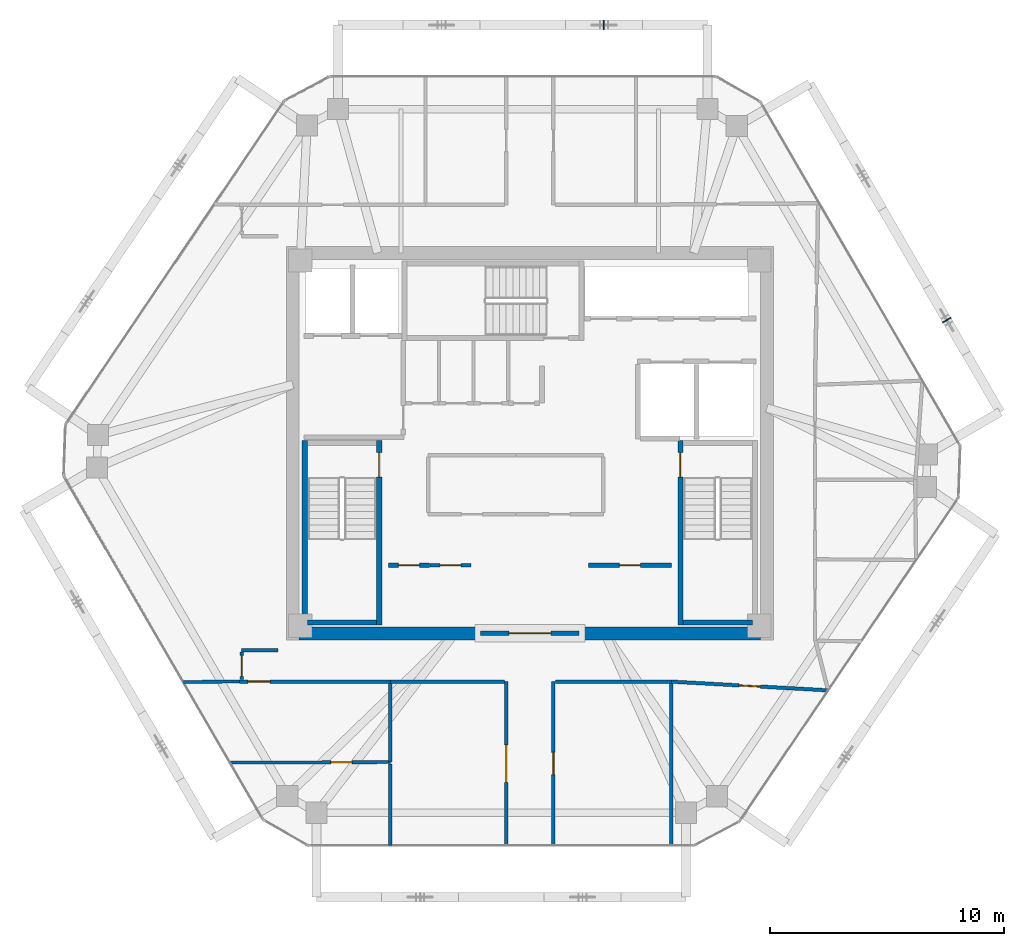
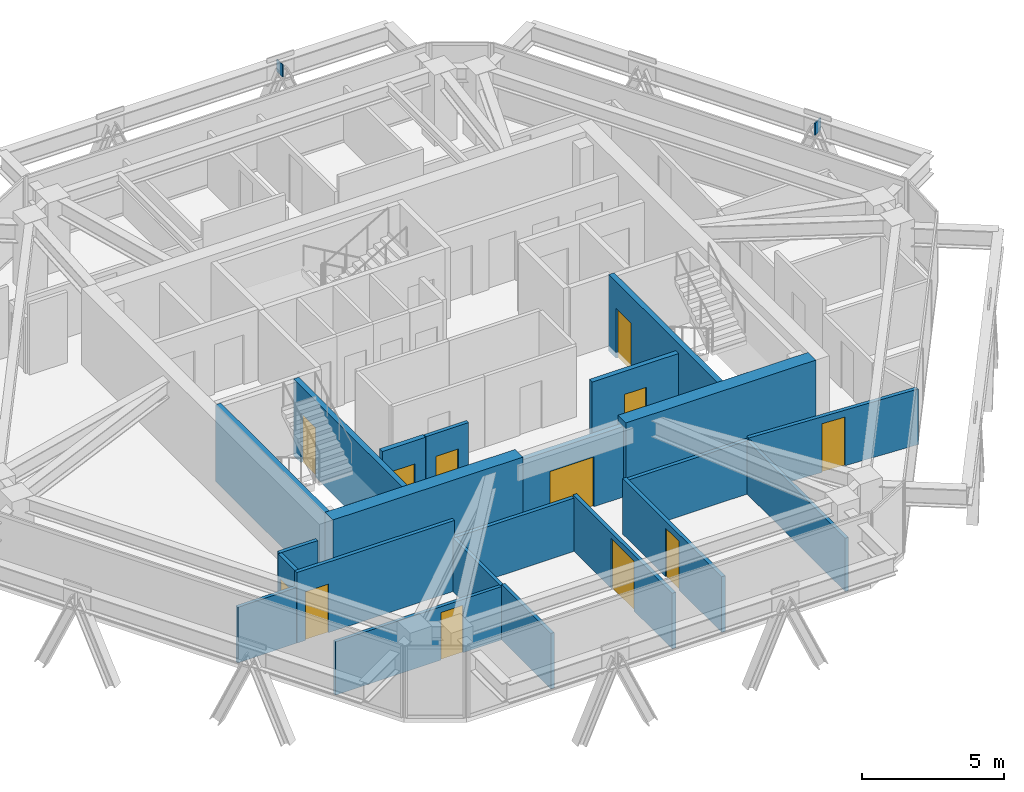
# One storey, part 9 of 13: 24 walls, 12 doors, 2 plates, 12 openings.
"""IFC4 building model written with IfcOpenShell, lengths in metres."""

from ifc_helpers import new_model, si_unit, direction, frame, frame_2d, origin, origin_2d, place, context, subcontext, project, spatial, rectangle, extrude, source, transform, mapped, material, layer, layer_set, type_object, type_shapes, element, fill, save


model = new_model("IFC4")

# Units and contexts
model_context = context("Model", 3, precision=1e-05, world=origin(), true_north=direction((0.0, 1.0)))
body_context = subcontext(model_context, "Body", "Model", "MODEL_VIEW")
ifc_project = project(units=[si_unit("LENGTHUNIT", "METRE"), si_unit("AREAUNIT", "SQUARE_METRE"), si_unit("VOLUMEUNIT", "CUBIC_METRE"), si_unit("PLANEANGLEUNIT", "RADIAN"), si_unit("MASSUNIT", "GRAM", prefix="KILO")], contexts=[model_context])

# Site, building, storey
site_placement = place(None, origin())
site = spatial("IfcSite", under=ifc_project, at=site_placement, CompositionType="ELEMENT")
building_placement = place(site_placement, origin())
building = spatial("IfcBuilding", under=site, at=building_placement, Name="Durnholm Broadcast Tower", CompositionType="ELEMENT")
storey_placement = place(building_placement, frame((0.0, 0.0, 234.800048828125)))
storey = spatial("IfcBuildingStorey", under=building, at=storey_placement, Name="L65", CompositionType="ELEMENT", Elevation=234.800048828125)

# Plates
ifc_material_1 = material(Name="Steel ASTM A572 Grade 50", Category="steel")
ifc_layer_1 = layer(ifc_material_1, 0.044921875)
ifc_layer_set_1 = layer_set([ifc_layer_1], Name="Steel ASTM A572 Grade 50")
plate_type = type_object("IfcPlateType", Name="PLT-KN-STIF", PredefinedType="SHEET", material=ifc_layer_set_1)
shared_shape_1 = source(origin(), body_context, "Body", "SweptSolid", [
    extrude(rectangle(XDim=0.044921875, YDim=0.419921875, at=origin_2d()), origin(), (0.0, 0.0, 1.0), 0.52001953125),
])
type_shapes(plate_type, [shared_shape_1])
for number, where, z_axis, x_axis, name in (
    (1, (17.806640625, 5.2548828125, 2.048583984375), (0.0, 0.0, 1.0), (-0.501963660617, 0.864888711581, 0.0), "L65 welded diagrid node stiffener plate F3"),
    (2, (3.164794921875, 17.862060546875, 2.048583984375), (0.0, 0.0, 1.0), (-1.0, 0.0, 0.0), "L65 welded diagrid node stiffener plate F4"),
):
    element("IfcPlate", number, at=place(storey_placement, frame(where, z_axis=z_axis, x_axis=x_axis)), inside=storey, type_object=plate_type, Name=name, PredefinedType="SHEET", context=body_context, shape_type="MappedRepresentation", body=[
        mapped(shared_shape_1, transform((0.0, 0.0, 0.0), x_axis=(1.0, 0.0, 0.0), y_axis=(0.0, 1.0, 0.0), z_axis=(0.0, 0.0, 1.0), scale=1.0)),
    ])

# Walls
ifc_material_2 = material(Name="Concrete C70/85", Category="concrete")
ifc_layer_2 = layer(ifc_material_2, 0.550048828125)
ifc_layer_set_2 = layer_set([ifc_layer_2], Name="Concrete C70/85")
wall_type_1 = type_object("IfcWallType", Name="WALL-CW-550", PredefinedType="SHEAR", material=ifc_layer_set_2)
for number, where, z_axis, x_axis, name in (
    (3, (-9.85009765625, -8.125, 0.0), (0.0, 0.0, 1.0), (1.0, 0.0, 0.0), "L65 central core shear wall CW-S1"),
    (4, (2.10009765625, -8.125, 0.0), (0.0, 0.0, 1.0), (1.0, 0.0, 0.0), "L65 central core shear wall CW-S2"),
):
    element("IfcWall", number, at=place(storey_placement, frame(where, z_axis=z_axis, x_axis=x_axis)), inside=storey, type_object=wall_type_1, Name=name, PredefinedType="SHEAR", context=body_context, shape_type="SweptSolid", body=[
        extrude(rectangle(XDim=7.75, YDim=0.550048828125, at=frame_2d((3.875, 0.0))), origin(), (0.0, 0.0, 1.0), 3.300048828125),
    ])

# Wall, opening, door
ifc_material_3 = material(Name="Fire-Rated Gypsum Shaftwall", Category="concrete")
ifc_layer_3 = layer(ifc_material_3, 0.199951171875)
ifc_layer_set_3 = layer_set([ifc_layer_3], Name="Fire-Rated Gypsum Shaftwall")
wall_type_2 = type_object("IfcWallType", Name="WALL-LOB-200", PredefinedType="SOLIDWALL", material=ifc_layer_set_3)
wall_1_placement = place(storey_placement, frame((-2.10009765625, -8.125, 0.0), z_axis=(0.0, 0.0, 1.0), x_axis=(1.0, 0.0, 0.0)))
wall_1 = element("IfcWall", 5, at=wall_1_placement, inside=storey, type_object=wall_type_2, Name="L65 south core lobby fire screen", PredefinedType="SOLIDWALL", context=body_context, shape_type="SweptSolid", body=[
    extrude(rectangle(XDim=4.2001953125, YDim=0.199951171875, at=frame_2d((2.10009765625, 0.0))), origin(), (0.0, 0.0, 1.0), 3.044921875),
])
opening_1_placement = place(wall_1_placement, frame((1.199951171875, 0.0, 0.0)))
opening_1 = element("IfcOpeningElement", 6, at=opening_1_placement, cuts=wall_1, Name="Opening DP-60", PredefinedType="OPENING", context=body_context, shape_type="SweptSolid", body=[
    extrude(rectangle(XDim=1.800048828125, YDim=2.14990234375, at=frame_2d((0.89990234375, 1.074951171875))), frame((0.0, 0.10986328125, 0.0), z_axis=(0.0, -1.0, 0.0), x_axis=(1.0, 0.0, 0.0)), (0.0, 0.0, 1.0), 0.219970703125),
])
ifc_material_4 = material(Name="Fire-Rated Double Corridor Door", Category="steel")
ifc_layer_4 = layer(ifc_material_4, 0.050048828125)
ifc_layer_set_4 = layer_set([ifc_layer_4], Name="Fire-Rated Double Corridor Door")
door_type_1 = type_object("IfcDoorType", Name="DOOR-PAIR-FD60", OperationType="DOUBLE_DOOR_SINGLE_SWING", PredefinedType="DOOR", material=ifc_layer_set_4)
shared_shape_2 = source(origin(), body_context, "Body", "SweptSolid", [
    extrude(rectangle(XDim=1.800048828125, YDim=2.14990234375, at=frame_2d((0.89990234375, 1.074951171875))), frame((0.0, 0.02490234375, 0.0), z_axis=(0.0, -1.0, 0.0), x_axis=(1.0, 0.0, 0.0)), (0.0, 0.0, 1.0), 0.050048828125),
])
type_shapes(door_type_1, [shared_shape_2])
door_1_placement = place(opening_1_placement, origin())
door_1 = element("IfcDoor", 7, at=door_1_placement, inside=storey, type_object=door_type_1, Name="L65 south core lobby double fire door", OperationType="DOUBLE_DOOR_SINGLE_SWING", OverallHeight=2.14990234375, OverallWidth=1.800048828125, PredefinedType="DOOR", context=body_context, shape_type="MappedRepresentation", body=[
    mapped(shared_shape_2, transform((0.0, 0.0, 0.0), x_axis=(1.0, 0.0, 0.0), y_axis=(0.0, 1.0, 0.0), z_axis=(0.0, 0.0, 1.0), scale=1.0)),
])
fill(opening_1, door_1)

wall_2_placement = place(storey_placement, frame((-6.0400390625, -5.2099609375, 0.0), z_axis=(0.0, 0.0, 1.0), x_axis=(1.0, 0.0, 0.0)))
wall_2 = element("IfcWall", 8, at=wall_2_placement, inside=storey, type_object=wall_type_2, Name="L65 Media Fiber Patch Room corridor partition", PredefinedType="SOLIDWALL", context=body_context, shape_type="SweptSolid", body=[
    extrude(rectangle(XDim=1.760009765625, YDim=0.199951171875, at=frame_2d((0.8798828125, 0.0))), origin(), (0.0, 0.0, 1.0), 3.044921875),
])
opening_2_placement = place(wall_2_placement, frame((0.429931640625, 0.0, 0.0)))
opening_2 = element("IfcOpeningElement", 9, at=opening_2_placement, cuts=wall_2, Name="Opening DC-60R", PredefinedType="OPENING", context=body_context, shape_type="SweptSolid", body=[
    extrude(rectangle(XDim=0.89990234375, YDim=2.050048828125, at=frame_2d((0.449951171875, 1.02490234375))), frame((0.0, 0.10986328125, 0.0), z_axis=(0.0, -1.0, 0.0), x_axis=(1.0, 0.0, 0.0)), (0.0, 0.0, 1.0), 0.219970703125),
])
ifc_material_5 = material(Name="Fire-Rated Core Service Door", Category="steel")
ifc_layer_5 = layer(ifc_material_5, 0.050048828125)
ifc_layer_set_5 = layer_set([ifc_layer_5], Name="Fire-Rated Core Service Door")
door_type_2 = type_object("IfcDoorType", Name="DOOR-CORE-FD60-R", OperationType="NOTDEFINED", PredefinedType="DOOR", material=ifc_layer_set_5)
shared_shape_3 = source(origin(), body_context, "Body", "SweptSolid", [
    extrude(rectangle(XDim=0.89990234375, YDim=2.050048828125, at=frame_2d((0.449951171875, 1.02490234375))), frame((0.0, 0.02490234375, 0.0), z_axis=(0.0, -1.0, 0.0), x_axis=(1.0, 0.0, 0.0)), (0.0, 0.0, 1.0), 0.050048828125),
])
type_shapes(door_type_2, [shared_shape_3])
door_2_placement = place(opening_2_placement, origin())
door_2 = element("IfcDoor", 10, at=door_2_placement, inside=storey, type_object=door_type_2, Name="L65 Media Fiber Patch Room entrance door", OperationType="SINGLE_SWING_RIGHT", OverallHeight=2.050048828125, OverallWidth=0.89990234375, PredefinedType="DOOR", context=body_context, shape_type="MappedRepresentation", body=[
    mapped(shared_shape_3, transform((0.0, 0.0, 0.0), x_axis=(1.0, 0.0, 0.0), y_axis=(0.0, 1.0, 0.0), z_axis=(0.0, 0.0, 1.0), scale=1.0)),
])
fill(opening_2, door_2)

wall_3_placement = place(storey_placement, frame((2.510009765625, -5.2099609375, 0.0), z_axis=(0.0, 0.0, 1.0), x_axis=(1.0, 0.0, 0.0)))
wall_3 = element("IfcWall", 11, at=wall_3_placement, inside=storey, type_object=wall_type_2, Name="L65 Telemetry Control Closet corridor partition", PredefinedType="SOLIDWALL", context=body_context, shape_type="SweptSolid", body=[
    extrude(rectangle(XDim=3.530029296875, YDim=0.199951171875, at=frame_2d((1.76513671875, 0.0))), origin(), (0.0, 0.0, 1.0), 3.044921875),
])
opening_3_placement = place(wall_3_placement, frame((1.31494140625, 0.0, 0.0)))
opening_3 = element("IfcOpeningElement", 12, at=opening_3_placement, cuts=wall_3, Name="Opening DC-60R", PredefinedType="OPENING", context=body_context, shape_type="SweptSolid", body=[
    extrude(rectangle(XDim=0.89990234375, YDim=2.050048828125, at=frame_2d((0.449951171875, 1.02490234375))), frame((0.0, 0.10986328125, 0.0), z_axis=(0.0, -1.0, 0.0), x_axis=(1.0, 0.0, 0.0)), (0.0, 0.0, 1.0), 0.219970703125),
])
door_3_placement = place(opening_3_placement, origin())
door_3 = element("IfcDoor", 13, at=door_3_placement, inside=storey, type_object=door_type_2, Name="L65 Telemetry Control Closet entrance door", OperationType="SINGLE_SWING_RIGHT", OverallHeight=2.050048828125, OverallWidth=0.89990234375, PredefinedType="DOOR", context=body_context, shape_type="MappedRepresentation", body=[
    mapped(shared_shape_3, transform((0.0, 0.0, 0.0), x_axis=(1.0, 0.0, 0.0), y_axis=(0.0, 1.0, 0.0), z_axis=(0.0, 0.0, 1.0), scale=1.0)),
])
fill(opening_3, door_3)

ifc_material_6 = material(Name="Gypsum Metal Stud Partition", Category="concrete")
ifc_layer_6 = layer(ifc_material_6, 0.135009765625)
ifc_layer_set_6 = layer_set([ifc_layer_6], Name="Gypsum Metal Stud Partition")
wall_type_3 = type_object("IfcWallType", Name="WALL-PART-135", PredefinedType="PARTITIONING", material=ifc_layer_set_6)
wall_4_placement = place(storey_placement, frame((-12.803466796875, -13.64306640625, 0.0), z_axis=(0.0, 0.0, 1.0), x_axis=(0.999995721242, 0.002925320151, 0.0)))
wall_4 = element("IfcWall", 14, at=wall_4_placement, inside=storey, type_object=wall_type_3, Name="L65 room dividing partition 17.18", PredefinedType="PARTITIONING", context=body_context, shape_type="SweptSolid", body=[
    extrude(rectangle(XDim=6.843505859375, YDim=0.135009765625, at=frame_2d((3.421875, 0.0))), origin(), (0.0, 0.0, 1.0), 2.30126953125),
])
opening_4_placement = place(wall_4_placement, frame((4.31005859375, 0.0, 0.0)))
opening_4 = element("IfcOpeningElement", 15, at=opening_4_placement, cuts=wall_4, Name="Opening DW-90L", PredefinedType="OPENING", context=body_context, shape_type="SweptSolid", body=[
    extrude(rectangle(XDim=0.89990234375, YDim=2.050048828125, at=frame_2d((0.449951171875, 1.02490234375))), frame((0.0, 0.07763671875, 0.0), z_axis=(0.0, -1.0, 0.0), x_axis=(1.0, 0.0, 0.0)), (0.0, 0.0, 1.0), 0.155029296875),
])
ifc_material_7 = material(Name="Laminate Restroom Door", Category="steel")
ifc_layer_7 = layer(ifc_material_7, 0.050048828125)
ifc_layer_set_7 = layer_set([ifc_layer_7], Name="Laminate Restroom Door")
door_type_3 = type_object("IfcDoorType", Name="DOOR-WC-900L", OperationType="NOTDEFINED", PredefinedType="DOOR", material=ifc_layer_set_7)
shared_shape_4 = source(origin(), body_context, "Body", "SweptSolid", [
    extrude(rectangle(XDim=0.89990234375, YDim=2.050048828125, at=frame_2d((0.449951171875, 1.02490234375))), frame((0.0, 0.02490234375, 0.0), z_axis=(0.0, -1.0, 0.0), x_axis=(1.0, 0.0, 0.0)), (0.0, 0.0, 1.0), 0.050048828125),
])
type_shapes(door_type_3, [shared_shape_4])
door_4_placement = place(opening_4_placement, origin())
door_4 = element("IfcDoor", 16, at=door_4_placement, inside=storey, type_object=door_type_3, Name="L65 Pantry Kitchen connecting door", OperationType="SINGLE_SWING_LEFT", OverallHeight=2.050048828125, OverallWidth=0.89990234375, PredefinedType="DOOR", context=body_context, shape_type="MappedRepresentation", body=[
    mapped(shared_shape_4, transform((0.0, 0.0, 0.0), x_axis=(1.0, 0.0, 0.0), y_axis=(0.0, 1.0, 0.0), z_axis=(0.0, 0.0, 1.0), scale=1.0)),
])
fill(opening_4, door_4)

# Walls
wall_5_placement = place(storey_placement, frame((-5.9599609375, -13.694580078125, 0.0), z_axis=(0.0, 0.0, 1.0), x_axis=(0.0, -1.0, 0.0)))
element("IfcWall", 17, at=wall_5_placement, inside=storey, type_object=wall_type_3, Name="L65 room dividing partition 17.19", PredefinedType="PARTITIONING", context=body_context, shape_type="SweptSolid", body=[
    extrude(rectangle(XDim=3.491455078125, YDim=0.135009765625, at=frame_2d((1.74560546875, 0.0))), origin(), (0.0, 0.0, 1.0), 2.398681640625),
])
wall_6_placement = place(storey_placement, frame((-5.9599609375, -10.259033203125, 0.0), z_axis=(0.0, 0.0, 1.0), x_axis=(0.0, -1.0, 0.0)))
element("IfcWall", 18, at=wall_6_placement, inside=storey, type_object=wall_type_3, Name="L65 room dividing partition 18.19", PredefinedType="PARTITIONING", context=body_context, shape_type="SweptSolid", body=[
    extrude(rectangle(XDim=3.364013671875, YDim=0.135009765625, at=frame_2d((1.68212890625, 0.0))), origin(), (0.0, 0.0, 1.0), 2.30126953125),
])
wall_7_placement = place(storey_placement, frame((-14.801513671875, -10.199951171875, 0.0), z_axis=(0.0, 0.0, 1.0), x_axis=(0.999968020968, 0.007997314604, 0.0)))
element("IfcWall", 19, at=wall_7_placement, inside=storey, type_object=wall_type_3, Name="L65 room dividing partition 18.22", PredefinedType="PARTITIONING", context=body_context, shape_type="SweptSolid", body=[
    extrude(rectangle(XDim=2.41162109375, YDim=0.135009765625, at=frame_2d((1.205810546875, 0.0))), origin(), (0.0, 0.0, 1.0), 2.398681640625),
])
wall_8_placement = place(storey_placement, frame((6.0400390625, -10.263671875, 0.0), z_axis=(0.0, 0.0, 1.0), x_axis=(0.0, -1.0, 0.0)))
element("IfcWall", 20, at=wall_8_placement, inside=storey, type_object=wall_type_3, Name="L65 room dividing partition 20.21", PredefinedType="PARTITIONING", context=body_context, shape_type="SweptSolid", body=[
    extrude(rectangle(XDim=6.92236328125, YDim=0.135009765625, at=frame_2d((3.461181640625, 0.0))), origin(), (0.0, 0.0, 1.0), 2.30126953125),
])

# Wall, opening, door
ifc_material_8 = material(Name="Acoustic Gypsum Stud Partition", Category="concrete")
ifc_layer_8 = layer(ifc_material_8, 0.14990234375)
ifc_layer_set_8 = layer_set([ifc_layer_8], Name="Acoustic Gypsum Stud Partition")
wall_type_4 = type_object("IfcWallType", Name="WALL-PART-150", PredefinedType="PARTITIONING", material=ifc_layer_set_8)
wall_9_placement = place(storey_placement, frame((-4.260009765625, -5.2099609375, 0.0), z_axis=(0.0, 0.0, 1.0), x_axis=(1.0, 0.0, 0.0)))
wall_9 = element("IfcWall", 21, at=wall_9_placement, inside=storey, type_object=wall_type_4, Name="L65 Copy and Print Room corridor partition", PredefinedType="PARTITIONING", context=body_context, shape_type="SweptSolid", body=[
    extrude(rectangle(XDim=1.75, YDim=0.14990234375, at=frame_2d((0.875, 0.0))), origin(), (0.0, 0.0, 1.0), 3.044921875),
])
opening_5_placement = place(wall_9_placement, frame((0.425048828125, 0.0, 0.0)))
opening_5 = element("IfcOpeningElement", 22, at=opening_5_placement, cuts=wall_9, Name="Opening DC-60L", PredefinedType="OPENING", context=body_context, shape_type="SweptSolid", body=[
    extrude(rectangle(XDim=0.89990234375, YDim=2.050048828125, at=frame_2d((0.449951171875, 1.02490234375))), frame((0.0, 0.0849609375, 0.0), z_axis=(0.0, -1.0, 0.0), x_axis=(1.0, 0.0, 0.0)), (0.0, 0.0, 1.0), 0.169921875),
])
ifc_layer_9 = layer(ifc_material_5, 0.050048828125)
ifc_layer_set_9 = layer_set([ifc_layer_9], Name="Fire-Rated Core Service Door")
door_type_4 = type_object("IfcDoorType", Name="DOOR-CORE-FD60-L", OperationType="NOTDEFINED", PredefinedType="DOOR", material=ifc_layer_set_9)
shared_shape_5 = source(origin(), body_context, "Body", "SweptSolid", [
    extrude(rectangle(XDim=0.89990234375, YDim=2.050048828125, at=frame_2d((0.449951171875, 1.02490234375))), frame((0.0, 0.02490234375, 0.0), z_axis=(0.0, -1.0, 0.0), x_axis=(1.0, 0.0, 0.0)), (0.0, 0.0, 1.0), 0.050048828125),
])
type_shapes(door_type_4, [shared_shape_5])
door_5_placement = place(opening_5_placement, origin())
door_5 = element("IfcDoor", 23, at=door_5_placement, inside=storey, type_object=door_type_4, Name="L65 Copy and Print Room entrance door", OperationType="SINGLE_SWING_LEFT", OverallHeight=2.050048828125, OverallWidth=0.89990234375, PredefinedType="DOOR", context=body_context, shape_type="MappedRepresentation", body=[
    mapped(shared_shape_5, transform((0.0, 0.0, 0.0), x_axis=(1.0, 0.0, 0.0), y_axis=(0.0, 1.0, 0.0), z_axis=(0.0, 0.0, 1.0), scale=1.0)),
])
fill(opening_5, door_5)

wall_10_placement = place(storey_placement, frame((-12.389892578125, -10.179931640625, 0.0), z_axis=(0.0, 0.0, 1.0), x_axis=(1.0, 0.0, 0.0)))
wall_10 = element("IfcWall", 24, at=wall_10_placement, inside=storey, type_object=wall_type_4, Name="L65 Standards Office corridor partition", PredefinedType="PARTITIONING", context=body_context, shape_type="SweptSolid", body=[
    extrude(rectangle(XDim=6.429931640625, YDim=0.14990234375, at=frame_2d((3.21484375, 0.0))), origin(), (0.0, 0.0, 1.0), 3.044921875),
])
opening_6_placement = place(wall_10_placement, frame((0.35009765625, 0.0, 0.0)))
opening_6 = element("IfcOpeningElement", 25, at=opening_6_placement, cuts=wall_10, Name="Opening DR-95R", PredefinedType="OPENING", context=body_context, shape_type="SweptSolid", body=[
    extrude(rectangle(XDim=0.949951171875, YDim=2.10009765625, at=frame_2d((0.47509765625, 1.050048828125))), frame((0.0, 0.0849609375, 0.0), z_axis=(0.0, -1.0, 0.0), x_axis=(1.0, 0.0, 0.0)), (0.0, 0.0, 1.0), 0.169921875),
])
ifc_material_9 = material(Name="Acoustic Oak Veneer Timber Door", Category="wood")
ifc_layer_10 = layer(ifc_material_9, 0.050048828125)
ifc_layer_set_10 = layer_set([ifc_layer_10], Name="Acoustic Oak Veneer Timber Door")
door_type_5 = type_object("IfcDoorType", Name="DOOR-RM-950R", OperationType="NOTDEFINED", PredefinedType="DOOR", material=ifc_layer_set_10)
shared_shape_6 = source(origin(), body_context, "Body", "SweptSolid", [
    extrude(rectangle(XDim=0.949951171875, YDim=2.10009765625, at=frame_2d((0.47509765625, 1.050048828125))), frame((0.0, 0.02490234375, 0.0), z_axis=(0.0, -1.0, 0.0), x_axis=(1.0, 0.0, 0.0)), (0.0, 0.0, 1.0), 0.050048828125),
])
type_shapes(door_type_5, [shared_shape_6])
door_6_placement = place(opening_6_placement, origin())
door_6 = element("IfcDoor", 26, at=door_6_placement, inside=storey, type_object=door_type_5, Name="L65 Standards Office entrance door", OperationType="SINGLE_SWING_RIGHT", OverallHeight=2.10009765625, OverallWidth=0.949951171875, PredefinedType="DOOR", context=body_context, shape_type="MappedRepresentation", body=[
    mapped(shared_shape_6, transform((0.0, 0.0, 0.0), x_axis=(1.0, 0.0, 0.0), y_axis=(0.0, 1.0, 0.0), z_axis=(0.0, 0.0, 1.0), scale=1.0)),
])
fill(opening_6, door_6)

wall_11_placement = place(storey_placement, frame((-1.010009765625, -10.179931640625, 0.0), z_axis=(0.0, 0.0, 1.0), x_axis=(0.0, -1.0, 0.0)))
wall_11 = element("IfcWall", 27, at=wall_11_placement, inside=storey, type_object=wall_type_4, Name="L65 International Council Hall corridor partition", PredefinedType="PARTITIONING", context=body_context, shape_type="SweptSolid", body=[
    extrude(rectangle(XDim=7.006103515625, YDim=0.14990234375, at=frame_2d((3.5029296875, 0.0))), origin(), (0.0, 0.0, 1.0), 2.398681640625),
])
opening_7_placement = place(wall_11_placement, frame((2.702880859375, 0.0, 0.0)))
opening_7 = element("IfcOpeningElement", 28, at=opening_7_placement, cuts=wall_11, Name="Opening DST-160", PredefinedType="OPENING", context=body_context, shape_type="SweptSolid", body=[
    extrude(rectangle(XDim=1.60009765625, YDim=2.14990234375, at=frame_2d((0.800048828125, 1.074951171875))), frame((0.0, 0.0849609375, 0.0), z_axis=(0.0, -1.0, 0.0), x_axis=(1.0, 0.0, 0.0)), (0.0, 0.0, 1.0), 0.169921875),
])
ifc_material_10 = material(Name="Acoustic Broadcast Studio Sound-Lock Door", Category="steel")
ifc_layer_11 = layer(ifc_material_10, 0.050048828125)
ifc_layer_set_11 = layer_set([ifc_layer_11], Name="Acoustic Broadcast Studio Sound-Lock Door")
door_type_6 = type_object("IfcDoorType", Name="DOOR-STU-1600", OperationType="DOUBLE_DOOR_SINGLE_SWING", PredefinedType="DOOR", material=ifc_layer_set_11)
shared_shape_7 = source(origin(), body_context, "Body", "SweptSolid", [
    extrude(rectangle(XDim=1.60009765625, YDim=2.14990234375, at=frame_2d((0.800048828125, 1.074951171875))), frame((0.0, 0.02490234375, 0.0), z_axis=(0.0, -1.0, 0.0), x_axis=(1.0, 0.0, 0.0)), (0.0, 0.0, 1.0), 0.050048828125),
])
type_shapes(door_type_6, [shared_shape_7])
door_7_placement = place(opening_7_placement, origin())
door_7 = element("IfcDoor", 29, at=door_7_placement, inside=storey, type_object=door_type_6, Name="L65 International Council Hall entrance door", OperationType="DOUBLE_DOOR_SINGLE_SWING", OverallHeight=2.14990234375, OverallWidth=1.60009765625, PredefinedType="DOOR", context=body_context, shape_type="MappedRepresentation", body=[
    mapped(shared_shape_7, transform((0.0, 0.0, 0.0), x_axis=(1.0, 0.0, 0.0), y_axis=(0.0, 1.0, 0.0), z_axis=(0.0, 0.0, 1.0), scale=1.0)),
])
fill(opening_7, door_7)

# Wall
wall_12_placement = place(storey_placement, frame((-5.9599609375, -10.179931640625, 0.0), z_axis=(0.0, 0.0, 1.0), x_axis=(1.0, 0.0, 0.0)))
element("IfcWall", 30, at=wall_12_placement, inside=storey, type_object=wall_type_4, Name="L65 International Council Hall corridor partition", PredefinedType="PARTITIONING", context=body_context, shape_type="SweptSolid", body=[
    extrude(rectangle(XDim=4.870849609375, YDim=0.14990234375, at=frame_2d((2.435546875, 0.0))), origin(), (0.0, 0.0, 1.0), 2.30126953125),
])

# Wall, opening, door
wall_13_placement = place(storey_placement, frame((1.010009765625, -17.18603515625, 0.0), z_axis=(0.0, 0.0, 1.0), x_axis=(0.0, 1.0, 0.0)))
wall_13 = element("IfcWall", 31, at=wall_13_placement, inside=storey, type_object=wall_type_4, Name="L65 Global Bureaus Meeting Room corridor partition", PredefinedType="PARTITIONING", context=body_context, shape_type="SweptSolid", body=[
    extrude(rectangle(XDim=7.006103515625, YDim=0.14990234375, at=frame_2d((3.5029296875, 0.0))), origin(), (0.0, 0.0, 1.0), 2.398681640625),
])
opening_8_placement = place(wall_13_placement, frame((3.028076171875, 0.0, 0.0)))
opening_8 = element("IfcOpeningElement", 32, at=opening_8_placement, cuts=wall_13, Name="Opening DR-95R", PredefinedType="OPENING", context=body_context, shape_type="SweptSolid", body=[
    extrude(rectangle(XDim=0.949951171875, YDim=2.10009765625, at=frame_2d((0.47509765625, 1.050048828125))), frame((0.0, 0.0849609375, 0.0), z_axis=(0.0, -1.0, 0.0), x_axis=(1.0, 0.0, 0.0)), (0.0, 0.0, 1.0), 0.169921875),
])
door_8_placement = place(opening_8_placement, origin())
door_8 = element("IfcDoor", 33, at=door_8_placement, inside=storey, type_object=door_type_5, Name="L65 Global Bureaus Meeting Room entrance door", OperationType="SINGLE_SWING_RIGHT", OverallHeight=2.10009765625, OverallWidth=0.949951171875, PredefinedType="DOOR", context=body_context, shape_type="MappedRepresentation", body=[
    mapped(shared_shape_6, transform((0.0, 0.0, 0.0), x_axis=(1.0, 0.0, 0.0), y_axis=(0.0, 1.0, 0.0), z_axis=(0.0, 0.0, 1.0), scale=1.0)),
])
fill(opening_8, door_8)

# Wall
wall_14_placement = place(storey_placement, frame((1.089111328125, -10.179931640625, 0.0), z_axis=(0.0, 0.0, 1.0), x_axis=(1.0, 0.0, 0.0)))
element("IfcWall", 34, at=wall_14_placement, inside=storey, type_object=wall_type_4, Name="L65 Global Bureaus Meeting Room corridor partition", PredefinedType="PARTITIONING", context=body_context, shape_type="SweptSolid", body=[
    extrude(rectangle(XDim=4.950927734375, YDim=0.14990234375, at=frame_2d((2.4755859375, 0.0))), origin(), (0.0, 0.0, 1.0), 2.30126953125),
])

# Wall, opening, door
wall_15_placement = place(storey_placement, frame((6.0400390625, -10.1845703125, 0.0), z_axis=(0.0, 0.0, 1.0), x_axis=(0.998451046252, -0.055637291801, 0.0)))
wall_15 = element("IfcWall", 35, at=wall_15_placement, inside=storey, type_object=wall_type_4, Name="L65 Open Plan Broadcast Workspace 4 corridor partition", PredefinedType="PARTITIONING", context=body_context, shape_type="SweptSolid", body=[
    extrude(rectangle(XDim=6.70947265625, YDim=0.14990234375, at=frame_2d((3.354736328125, 0.0))), origin(), (0.0, 0.0, 1.0), 2.398681640625),
])
opening_9_placement = place(wall_15_placement, frame((2.89453125, 0.0, 0.0)))
opening_9 = element("IfcOpeningElement", 36, at=opening_9_placement, cuts=wall_15, Name="Opening DR-92L", PredefinedType="OPENING", context=body_context, shape_type="SweptSolid", body=[
    extrude(rectangle(XDim=0.919921875, YDim=2.10009765625, at=frame_2d((0.4599609375, 1.050048828125))), frame((0.0, 0.0849609375, 0.0), z_axis=(0.0, -1.0, 0.0), x_axis=(1.0, 0.0, 0.0)), (0.0, 0.0, 1.0), 0.169921875),
])
ifc_material_11 = material(Name="Oak Veneer Office Door", Category="wood")
ifc_layer_12 = layer(ifc_material_11, 0.050048828125)
ifc_layer_set_12 = layer_set([ifc_layer_12], Name="Oak Veneer Office Door")
door_type_7 = type_object("IfcDoorType", Name="DOOR-RM-920L", OperationType="NOTDEFINED", PredefinedType="DOOR", material=ifc_layer_set_12)
shared_shape_8 = source(origin(), body_context, "Body", "SweptSolid", [
    extrude(rectangle(XDim=0.919921875, YDim=2.10009765625, at=frame_2d((0.4599609375, 1.050048828125))), frame((0.0, 0.02490234375, 0.0), z_axis=(0.0, -1.0, 0.0), x_axis=(1.0, 0.0, 0.0)), (0.0, 0.0, 1.0), 0.050048828125),
])
type_shapes(door_type_7, [shared_shape_8])
door_9_placement = place(opening_9_placement, origin())
door_9 = element("IfcDoor", 37, at=door_9_placement, inside=storey, type_object=door_type_7, Name="L65 Open Plan Broadcast Workspace 4 entrance door", OperationType="SINGLE_SWING_LEFT", OverallHeight=2.10009765625, OverallWidth=0.919921875, PredefinedType="DOOR", context=body_context, shape_type="MappedRepresentation", body=[
    mapped(shared_shape_8, transform((0.0, 0.0, 0.0), x_axis=(1.0, 0.0, 0.0), y_axis=(0.0, 1.0, 0.0), z_axis=(0.0, 0.0, 1.0), scale=1.0)),
])
fill(opening_9, door_9)

# Wall
wall_16_placement = place(storey_placement, frame((-10.760009765625, -8.840087890625, 0.0), z_axis=(0.0, 0.0, 1.0), x_axis=(-1.0, 0.0, 0.0)))
element("IfcWall", 38, at=wall_16_placement, inside=storey, type_object=wall_type_4, Name="L65 Council Dining Room corridor partition", PredefinedType="PARTITIONING", context=body_context, shape_type="SweptSolid", body=[
    extrude(rectangle(XDim=1.550048828125, YDim=0.14990234375, at=frame_2d((0.77490234375, 0.0))), origin(), (0.0, 0.0, 1.0), 3.044921875),
])

# Wall, opening, door
wall_17_placement = place(storey_placement, frame((-12.31005859375, -8.9189453125, 0.0), z_axis=(0.0, 0.0, 1.0), x_axis=(0.0, -1.0, 0.0)))
wall_17 = element("IfcWall", 39, at=wall_17_placement, inside=storey, type_object=wall_type_4, Name="L65 Council Dining Room corridor partition", PredefinedType="PARTITIONING", context=body_context, shape_type="SweptSolid", body=[
    extrude(rectangle(XDim=1.18212890625, YDim=0.14990234375, at=frame_2d((0.591064453125, 0.0))), origin(), (0.0, 0.0, 1.0), 3.044921875),
])
opening_10_placement = place(wall_17_placement, frame((0.14111328125, 0.0, 0.0)))
opening_10 = element("IfcOpeningElement", 40, at=opening_10_placement, cuts=wall_17, Name="Opening DW-90L", PredefinedType="OPENING", context=body_context, shape_type="SweptSolid", body=[
    extrude(rectangle(XDim=0.89990234375, YDim=2.050048828125, at=frame_2d((0.449951171875, 1.02490234375))), frame((0.0, 0.0849609375, 0.0), z_axis=(0.0, -1.0, 0.0), x_axis=(1.0, 0.0, 0.0)), (0.0, 0.0, 1.0), 0.169921875),
])
door_10_placement = place(opening_10_placement, origin())
door_10 = element("IfcDoor", 41, at=door_10_placement, inside=storey, type_object=door_type_3, Name="L65 Council Dining Room entrance door", OperationType="SINGLE_SWING_LEFT", OverallHeight=2.050048828125, OverallWidth=0.89990234375, PredefinedType="DOOR", context=body_context, shape_type="MappedRepresentation", body=[
    mapped(shared_shape_4, transform((0.0, 0.0, 0.0), x_axis=(1.0, 0.0, 0.0), y_axis=(0.0, 1.0, 0.0), z_axis=(0.0, 0.0, 1.0), scale=1.0)),
])
fill(opening_10, door_10)

ifc_material_12 = material(Name="Concrete C50/60", Category="concrete")
ifc_layer_13 = layer(ifc_material_12, 0.219970703125)
ifc_layer_set_13 = layer_set([ifc_layer_13], Name="Concrete C50/60")
wall_type_5 = type_object("IfcWallType", Name="WALL-SW-220", PredefinedType="SHEAR", material=ifc_layer_set_13)
wall_18_placement = place(storey_placement, frame((-6.429931640625, -7.77001953125, -0.239990234375), z_axis=(0.0, 0.0, 1.0), x_axis=(0.0, 1.0, 0.0)))
wall_18 = element("IfcWall", 42, at=wall_18_placement, inside=storey, type_object=wall_type_5, Name="L65 stair ST-1 structural shaft wall E", PredefinedType="SHEAR", context=body_context, shape_type="SweptSolid", body=[
    extrude(rectangle(XDim=7.89013671875, YDim=0.219970703125, at=frame_2d((3.945068359375, 0.0))), origin(), (0.0, 0.0, 1.0), 3.300048828125),
])
opening_11_placement = place(wall_18_placement, frame((6.320068359375, 0.0, 0.0)))
opening_11 = element("IfcOpeningElement", 43, at=opening_11_placement, cuts=wall_18, Name="Opening DS-90L", PredefinedType="OPENING", context=body_context, shape_type="SweptSolid", body=[
    extrude(rectangle(XDim=1.050048828125, YDim=2.14990234375, at=frame_2d((0.52490234375, 1.074951171875))), frame((0.0, 0.1201171875, 0.0), z_axis=(0.0, -1.0, 0.0), x_axis=(1.0, 0.0, 0.0)), (0.0, 0.0, 1.0), 0.239990234375),
])
ifc_material_13 = material(Name="Fire-Rated Steel Door", Category="steel")
ifc_layer_14 = layer(ifc_material_13, 0.050048828125)
ifc_layer_set_14 = layer_set([ifc_layer_14], Name="Fire-Rated Steel Door")
door_type_8 = type_object("IfcDoorType", Name="DOOR-ST-FD90-L", OperationType="NOTDEFINED", PredefinedType="DOOR", material=ifc_layer_set_14)
shared_shape_9 = source(origin(), body_context, "Body", "SweptSolid", [
    extrude(rectangle(XDim=1.050048828125, YDim=2.14990234375, at=frame_2d((0.52490234375, 1.074951171875))), frame((0.0, 0.02490234375, 0.0), z_axis=(0.0, -1.0, 0.0), x_axis=(1.0, 0.0, 0.0)), (0.0, 0.0, 1.0), 0.050048828125),
])
type_shapes(door_type_8, [shared_shape_9])
door_11_placement = place(opening_11_placement, origin())
door_11 = element("IfcDoor", 44, at=door_11_placement, inside=storey, type_object=door_type_8, Name="L65 exit stair ST-1 fire door", OperationType="SINGLE_SWING_LEFT", OverallHeight=2.14990234375, OverallWidth=1.050048828125, PredefinedType="DOOR", context=body_context, shape_type="MappedRepresentation", body=[
    mapped(shared_shape_9, transform((0.0, 0.0, 0.0), x_axis=(1.0, 0.0, 0.0), y_axis=(0.0, 1.0, 0.0), z_axis=(0.0, 0.0, 1.0), scale=1.0)),
])
fill(opening_11, door_11)

# Walls
wall_19_placement = place(storey_placement, frame((-9.610107421875, 0.1201171875, -0.239990234375), z_axis=(0.0, 0.0, 1.0), x_axis=(0.0, -1.0, 0.0)))
element("IfcWall", 45, at=wall_19_placement, inside=storey, type_object=wall_type_5, Name="L65 stair ST-1 structural shaft wall W", PredefinedType="SHEAR", context=body_context, shape_type="SweptSolid", body=[
    extrude(rectangle(XDim=7.89013671875, YDim=0.219970703125, at=frame_2d((3.945068359375, 0.0))), origin(), (0.0, 0.0, 1.0), 3.300048828125),
])
wall_20_placement = place(storey_placement, frame((-9.5, -7.659912109375, -0.239990234375), z_axis=(0.0, 0.0, 1.0), x_axis=(1.0, 0.0, 0.0)))
element("IfcWall", 46, at=wall_20_placement, inside=storey, type_object=wall_type_5, Name="L65 stair ST-1 structural shaft wall S", PredefinedType="SHEAR", context=body_context, shape_type="SweptSolid", body=[
    extrude(rectangle(XDim=2.9599609375, YDim=0.219970703125, at=frame_2d((1.47998046875, 0.0))), origin(), (0.0, 0.0, 1.0), 3.300048828125),
])

# Wall, opening, door
wall_21_placement = place(storey_placement, frame((6.429931640625, 0.1201171875, -0.239990234375), z_axis=(0.0, 0.0, 1.0), x_axis=(0.0, -1.0, 0.0)))
wall_21 = element("IfcWall", 47, at=wall_21_placement, inside=storey, type_object=wall_type_5, Name="L65 stair ST-2 structural shaft wall W", PredefinedType="SHEAR", context=body_context, shape_type="SweptSolid", body=[
    extrude(rectangle(XDim=7.89013671875, YDim=0.219970703125, at=frame_2d((3.945068359375, 0.0))), origin(), (0.0, 0.0, 1.0), 3.300048828125),
])
opening_12_placement = place(wall_21_placement, frame((0.52001953125, 0.0, 0.0)))
opening_12 = element("IfcOpeningElement", 48, at=opening_12_placement, cuts=wall_21, Name="Opening DS-90R", PredefinedType="OPENING", context=body_context, shape_type="SweptSolid", body=[
    extrude(rectangle(XDim=1.050048828125, YDim=2.14990234375, at=frame_2d((0.52490234375, 1.074951171875))), frame((0.0, 0.1201171875, 0.0), z_axis=(0.0, -1.0, 0.0), x_axis=(1.0, 0.0, 0.0)), (0.0, 0.0, 1.0), 0.239990234375),
])
ifc_layer_15 = layer(ifc_material_13, 0.050048828125)
ifc_layer_set_15 = layer_set([ifc_layer_15], Name="Fire-Rated Steel Door")
door_type_9 = type_object("IfcDoorType", Name="DOOR-ST-FD90-R", OperationType="NOTDEFINED", PredefinedType="DOOR", material=ifc_layer_set_15)
shared_shape_10 = source(origin(), body_context, "Body", "SweptSolid", [
    extrude(rectangle(XDim=1.050048828125, YDim=2.14990234375, at=frame_2d((0.52490234375, 1.074951171875))), frame((0.0, 0.02490234375, 0.0), z_axis=(0.0, -1.0, 0.0), x_axis=(1.0, 0.0, 0.0)), (0.0, 0.0, 1.0), 0.050048828125),
])
type_shapes(door_type_9, [shared_shape_10])
door_12_placement = place(opening_12_placement, origin())
door_12 = element("IfcDoor", 49, at=door_12_placement, inside=storey, type_object=door_type_9, Name="L65 exit stair ST-2 fire door", OperationType="SINGLE_SWING_RIGHT", OverallHeight=2.14990234375, OverallWidth=1.050048828125, PredefinedType="DOOR", context=body_context, shape_type="MappedRepresentation", body=[
    mapped(shared_shape_10, transform((0.0, 0.0, 0.0), x_axis=(1.0, 0.0, 0.0), y_axis=(0.0, 1.0, 0.0), z_axis=(0.0, 0.0, 1.0), scale=1.0)),
])
fill(opening_12, door_12)

# Wall
wall_22_placement = place(storey_placement, frame((6.5400390625, -7.659912109375, -0.239990234375), z_axis=(0.0, 0.0, 1.0), x_axis=(1.0, 0.0, 0.0)))
element("IfcWall", 50, at=wall_22_placement, inside=storey, type_object=wall_type_5, Name="L65 stair ST-2 structural shaft wall S", PredefinedType="SHEAR", context=body_context, shape_type="SweptSolid", body=[
    extrude(rectangle(XDim=2.9599609375, YDim=0.219970703125, at=frame_2d((1.47998046875, 0.0))), origin(), (0.0, 0.0, 1.0), 3.300048828125),
])

save(model, "model.ifc")
